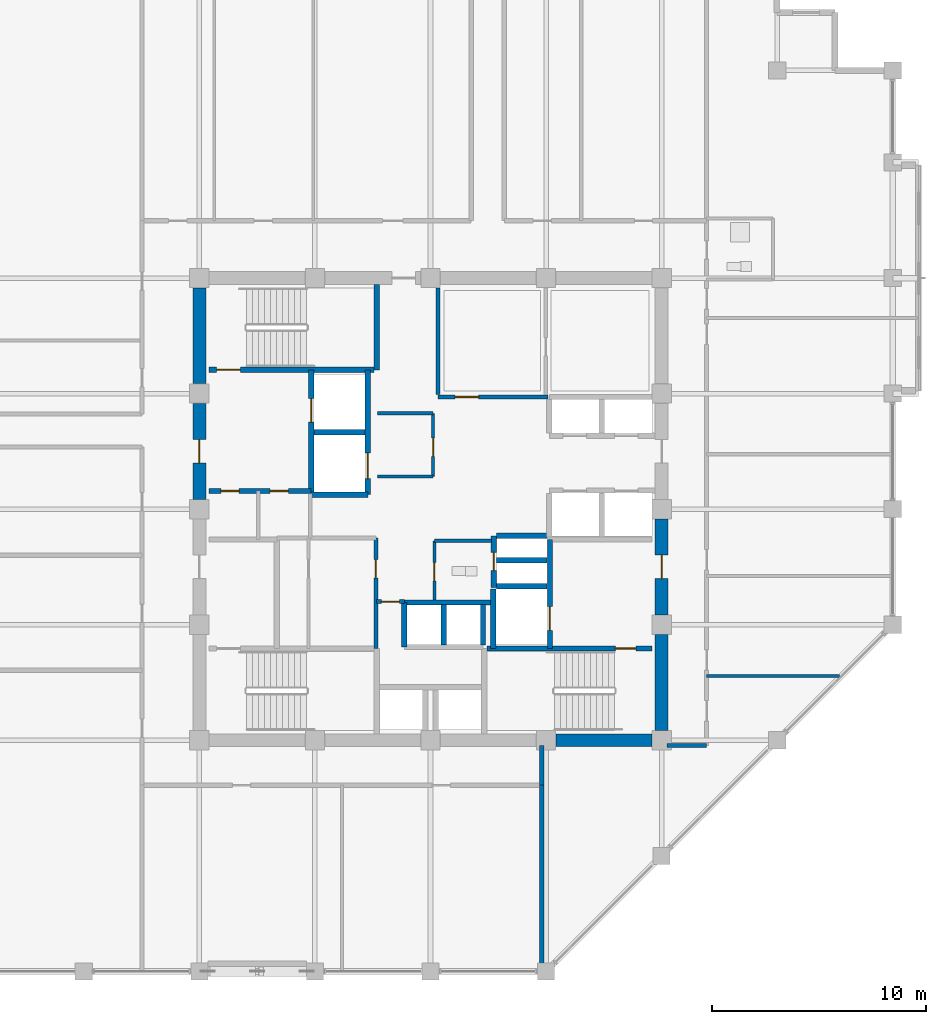
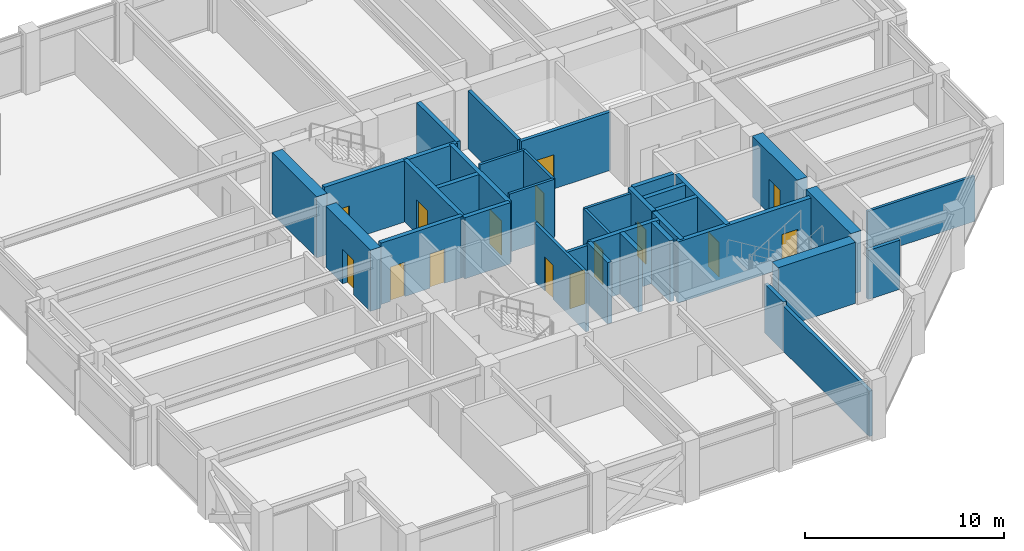
# One storey, part 27 of 32: 36 walls, 15 doors, 15 openings.
"""IFC4 building model written with IfcOpenShell, lengths in metres."""

from ifc_helpers import new_model, si_unit, direction, frame, frame_2d, origin, place, context, subcontext, project, spatial, rectangle, extrude, material, layer, layer_set, type_object, element, fill, save


model = new_model("IFC4")

# Units and contexts
model_context = context("Model", 3, precision=1e-05, world=origin(), true_north=direction((0.0, 1.0)))
body_context = subcontext(model_context, "Body", "Model", "MODEL_VIEW")
ifc_project = project(units=[si_unit("LENGTHUNIT", "METRE"), si_unit("AREAUNIT", "SQUARE_METRE"), si_unit("VOLUMEUNIT", "CUBIC_METRE"), si_unit("PLANEANGLEUNIT", "RADIAN"), si_unit("MASSUNIT", "GRAM", prefix="KILO")], contexts=[model_context])

# Site, building, storey
site_placement = place(None, origin())
site = spatial("IfcSite", under=ifc_project, at=site_placement, CompositionType="ELEMENT")
building_placement = place(site_placement, origin())
building = spatial("IfcBuilding", under=site, at=building_placement, Name="Surkhivell Harbour Commons", CompositionType="ELEMENT")
storey_placement = place(building_placement, frame((0.0, 0.0, 234.75)))
storey = spatial("IfcBuildingStorey", under=building, at=storey_placement, Name="L61", CompositionType="ELEMENT", Elevation=234.75)

# Wall
ifc_material_1 = material(Name="Concrete C60/75", Category="concrete")
ifc_layer_1 = layer(ifc_material_1, 0.60009765625)
ifc_layer_set_1 = layer_set([ifc_layer_1], Name="Concrete C60/75")
wall_type_1 = type_object("IfcWallType", Name="WAL-CORE-600", PredefinedType="SHEAR", material=ifc_layer_set_1)
wall_1_placement = place(storey_placement, frame((10.800048828125, -10.340087890625, 0.0), z_axis=(0.0, 0.0, 1.0), x_axis=(0.0, 1.0, 0.0)))
element("IfcWall", 1, at=wall_1_placement, inside=storey, type_object=wall_type_1, Name="L61 Core Shear Wall East 1", PredefinedType="SHEAR", context=body_context, shape_type="SweptSolid", body=[
    extrude(rectangle(XDim=4.47998046875, YDim=0.60009765625, at=frame_2d((2.239990234375, 0.0))), origin(), (0.0, 0.0, 1.0), 3.75),
])

# Wall, opening, door
wall_2_placement = place(storey_placement, frame((10.800048828125, -4.93994140625, 0.0), z_axis=(0.0, 0.0, 1.0), x_axis=(0.0, 1.0, 0.0)))
wall_2 = element("IfcWall", 2, at=wall_2_placement, inside=storey, type_object=wall_type_1, Name="L61 Core Shear Wall East 2", PredefinedType="SHEAR", context=body_context, shape_type="SweptSolid", body=[
    extrude(rectangle(XDim=4.47998046875, YDim=0.60009765625, at=frame_2d((2.239990234375, 0.0))), origin(), (0.0, 0.0, 1.0), 3.75),
])
opening_1_placement = place(wall_2_placement, frame((1.68994140625, 0.0, 0.0)))
opening_1 = element("IfcOpeningElement", 3, at=opening_1_placement, cuts=wall_2, Name="Opening ID-1", PredefinedType="OPENING", context=body_context, shape_type="SweptSolid", body=[
    extrude(rectangle(XDim=1.10009765625, YDim=2.10009765625, at=frame_2d((0.550048828125, 1.050048828125))), frame((0.0, 0.31005859375, 0.0), z_axis=(0.0, -1.0, 0.0), x_axis=(1.0, 0.0, 0.0)), (0.0, 0.0, 1.0), 0.6201171875),
])
ifc_material_2 = material(Name="Hardwood-veneered fire-rated door leaf", Category="wood")
door_type_1 = type_object("IfcDoorType", Name="DOR-FD120-1100", OperationType="NOTDEFINED", PredefinedType="DOOR", material=ifc_material_2)
door_1_placement = place(opening_1_placement, origin())
door_1 = element("IfcDoor", 4, at=door_1_placement, inside=storey, type_object=door_type_1, Name="L61 Firefighting Lobby 2 Corridor Door", OperationType="SINGLE_SWING_RIGHT", OverallHeight=2.10009765625, OverallWidth=1.10009765625, PredefinedType="DOOR", context=body_context, shape_type="SweptSolid", body=[
    extrude(rectangle(XDim=1.10009765625, YDim=2.10009765625, at=frame_2d((0.550048828125, 1.050048828125))), frame((0.0, 0.02490234375, 0.0), z_axis=(0.0, -1.0, 0.0), x_axis=(1.0, 0.0, 0.0)), (0.0, 0.0, 1.0), 0.050048828125),
])
fill(opening_1, door_1)

wall_3_placement = place(storey_placement, frame((-10.800048828125, 0.4599609375, 0.0), z_axis=(0.0, 0.0, 1.0), x_axis=(0.0, 1.0, 0.0)))
wall_3 = element("IfcWall", 5, at=wall_3_placement, inside=storey, type_object=wall_type_1, Name="L61 Core Shear Wall West 3", PredefinedType="SHEAR", context=body_context, shape_type="SweptSolid", body=[
    extrude(rectangle(XDim=4.47998046875, YDim=0.60009765625, at=frame_2d((2.239990234375, 0.0))), origin(), (0.0, 0.0, 1.0), 3.75),
])
opening_2_placement = place(wall_3_placement, frame((1.68994140625, 0.0, 0.0)))
opening_2 = element("IfcOpeningElement", 6, at=opening_2_placement, cuts=wall_3, Name="Opening ID-1", PredefinedType="OPENING", context=body_context, shape_type="SweptSolid", body=[
    extrude(rectangle(XDim=1.10009765625, YDim=2.10009765625, at=frame_2d((0.550048828125, 1.050048828125))), frame((0.0, 0.31005859375, 0.0), z_axis=(0.0, -1.0, 0.0), x_axis=(1.0, 0.0, 0.0)), (0.0, 0.0, 1.0), 0.6201171875),
])
door_2_placement = place(opening_2_placement, origin())
door_2 = element("IfcDoor", 7, at=door_2_placement, inside=storey, type_object=door_type_1, Name="L61 Firefighting Lobby 1 Corridor Door", OperationType="SINGLE_SWING_LEFT", OverallHeight=2.10009765625, OverallWidth=1.10009765625, PredefinedType="DOOR", context=body_context, shape_type="SweptSolid", body=[
    extrude(rectangle(XDim=1.10009765625, YDim=2.10009765625, at=frame_2d((0.550048828125, 1.050048828125))), frame((0.0, 0.02490234375, 0.0), z_axis=(0.0, -1.0, 0.0), x_axis=(1.0, 0.0, 0.0)), (0.0, 0.0, 1.0), 0.050048828125),
])
fill(opening_2, door_2)

# Walls
for number, where, z_axis, x_axis, name in (
    (8, (5.860107421875, -10.800048828125, 0.0), (0.0, 0.0, 1.0), (1.0, 0.0, 0.0), "L61 Core Shear Wall South 4"),
    (9, (-10.800048828125, 5.860107421875, 0.0), (0.0, 0.0, 1.0), (0.0, 1.0, 0.0), "L61 Core Shear Wall West 4"),
):
    element("IfcWall", number, at=place(storey_placement, frame(where, z_axis=z_axis, x_axis=x_axis)), inside=storey, type_object=wall_type_1, Name=name, PredefinedType="SHEAR", context=body_context, shape_type="SweptSolid", body=[
        extrude(rectangle(XDim=4.47998046875, YDim=0.60009765625, at=frame_2d((2.239990234375, 0.0))), origin(), (0.0, 0.0, 1.0), 3.75),
    ])
ifc_material_3 = material(Name="Twin-stud acoustic fireboard partition", Category="other")
ifc_layer_2 = layer(ifc_material_3, 0.14990234375)
ifc_layer_set_2 = layer_set([ifc_layer_2], Name="Twin-stud acoustic fireboard partition")
wall_type_2 = type_object("IfcWallType", Name="WAL-INT-150", PredefinedType="PARTITIONING", material=ifc_layer_set_2)
wall_4_placement = place(storey_placement, frame((0.179931640625, -1.47998046875, 0.0), z_axis=(0.0, 0.0, 1.0), x_axis=(1.0, 0.0, 0.0)))
element("IfcWall", 10, at=wall_4_placement, inside=storey, type_object=wall_type_2, Name="L61 Core Accessible WC North Wall", PredefinedType="PARTITIONING", context=body_context, shape_type="SweptSolid", body=[
    extrude(rectangle(XDim=2.670166015625, YDim=0.14990234375, at=frame_2d((1.3349609375, 0.0))), origin(), (0.0, 0.0, 1.0), 3.570068359375),
])

# Wall, opening, door
wall_5_placement = place(storey_placement, frame((0.179931640625, -4.25, 0.0), z_axis=(0.0, 0.0, 1.0), x_axis=(0.0, 1.0, 0.0)))
wall_5 = element("IfcWall", 11, at=wall_5_placement, inside=storey, type_object=wall_type_2, Name="L61 Core Accessible WC West Wall", PredefinedType="PARTITIONING", context=body_context, shape_type="SweptSolid", body=[
    extrude(rectangle(XDim=2.77001953125, YDim=0.14990234375, at=frame_2d((1.385009765625, 0.0))), origin(), (0.0, 0.0, 1.0), 3.570068359375),
])
opening_3_placement = place(wall_5_placement, frame((0.89990234375, 0.0, 0.0)))
opening_3 = element("IfcOpeningElement", 12, at=opening_3_placement, cuts=wall_5, Name="Opening ID-6", PredefinedType="OPENING", context=body_context, shape_type="SweptSolid", body=[
    extrude(rectangle(XDim=0.85009765625, YDim=2.10009765625, at=frame_2d((0.425048828125, 1.050048828125))), frame((0.0, 0.0849609375, 0.0), z_axis=(0.0, -1.0, 0.0), x_axis=(1.0, 0.0, 0.0)), (0.0, 0.0, 1.0), 0.169921875),
])
door_type_2 = type_object("IfcDoorType", Name="DOR-FD30-850", OperationType="NOTDEFINED", PredefinedType="DOOR", material=ifc_material_2)
door_3_placement = place(opening_3_placement, origin())
door_3 = element("IfcDoor", 13, at=door_3_placement, inside=storey, type_object=door_type_2, Name="L61 Floor Accessible WC Door", OperationType="SINGLE_SWING_LEFT", OverallHeight=2.10009765625, OverallWidth=0.85009765625, PredefinedType="DOOR", context=body_context, shape_type="SweptSolid", body=[
    extrude(rectangle(XDim=0.85009765625, YDim=2.10009765625, at=frame_2d((0.425048828125, 1.050048828125))), frame((0.0, 0.02490234375, 0.0), z_axis=(0.0, -1.0, 0.0), x_axis=(1.0, 0.0, 0.0)), (0.0, 0.0, 1.0), 0.050048828125),
])
fill(opening_3, door_3)

wall_6_placement = place(storey_placement, frame((0.1201171875, 1.52001953125, 0.0), z_axis=(0.0, 0.0, 1.0), x_axis=(0.0, 1.0, 0.0)))
wall_6 = element("IfcWall", 14, at=wall_6_placement, inside=storey, type_object=wall_type_2, Name="L61 Central Reading East Wall", PredefinedType="PARTITIONING", context=body_context, shape_type="SweptSolid", body=[
    extrude(rectangle(XDim=2.9599609375, YDim=0.14990234375, at=frame_2d((1.47998046875, 0.0))), origin(), (0.0, 0.0, 1.0), 3.570068359375),
])
opening_4_placement = place(wall_6_placement, frame((0.949951171875, 0.0, 0.0)))
opening_4 = element("IfcOpeningElement", 15, at=opening_4_placement, cuts=wall_6, Name="Opening ID-6", PredefinedType="OPENING", context=body_context, shape_type="SweptSolid", body=[
    extrude(rectangle(XDim=0.85009765625, YDim=2.10009765625, at=frame_2d((0.425048828125, 1.050048828125))), frame((0.0, 0.0849609375, 0.0), z_axis=(0.0, -1.0, 0.0), x_axis=(1.0, 0.0, 0.0)), (0.0, 0.0, 1.0), 0.169921875),
])
door_4_placement = place(opening_4_placement, origin())
door_4 = element("IfcDoor", 16, at=door_4_placement, inside=storey, type_object=door_type_2, Name="L61 Central Core Reading Door", OperationType="SINGLE_SWING_RIGHT", OverallHeight=2.10009765625, OverallWidth=0.85009765625, PredefinedType="DOOR", context=body_context, shape_type="SweptSolid", body=[
    extrude(rectangle(XDim=0.85009765625, YDim=2.10009765625, at=frame_2d((0.425048828125, 1.050048828125))), frame((0.0, 0.02490234375, 0.0), z_axis=(0.0, -1.0, 0.0), x_axis=(1.0, 0.0, 0.0)), (0.0, 0.0, 1.0), 0.050048828125),
])
fill(opening_4, door_4)

# Walls
for number, where, z_axis, x_axis, name in (
    (17, (-2.47998046875, 4.47998046875, 0.0), (0.0, 0.0, 1.0), (1.0, 0.0, 0.0), "L61 Central Reading North Wall"),
    (18, (-2.47998046875, 1.52001953125, 0.0), (0.0, 0.0, 1.0), (1.0, 0.0, 0.0), "L61 Central Reading South Wall"),
):
    element("IfcWall", number, at=place(storey_placement, frame(where, z_axis=z_axis, x_axis=x_axis)), inside=storey, type_object=wall_type_2, Name=name, PredefinedType="PARTITIONING", context=body_context, shape_type="SweptSolid", body=[
        extrude(rectangle(XDim=2.60009765625, YDim=0.14990234375, at=frame_2d((1.300048828125, 0.0))), origin(), (0.0, 0.0, 1.0), 3.570068359375),
    ])
wall_7_placement = place(storey_placement, frame((12.89990234375, -7.800048828125, 0.0), z_axis=(0.0, 0.0, 1.0), x_axis=(1.0, 0.0, 0.0)))
element("IfcWall", 19, at=wall_7_placement, inside=storey, type_object=wall_type_2, Name="L61 East Partition PBOT", PredefinedType="PARTITIONING", context=body_context, shape_type="SweptSolid", body=[
    extrude(rectangle(XDim=6.21533203125, YDim=0.14990234375, at=frame_2d((3.107666015625, 0.0))), origin(), (0.0, 0.0, 1.0), 2.780029296875),
])

# Wall, opening, door
ifc_material_4 = material(Name="High-density acoustic blockwork fire partition", Category="masonry")
ifc_layer_3 = layer(ifc_material_4, 0.175048828125)
ifc_layer_set_3 = layer_set([ifc_layer_3], Name="High-density acoustic blockwork fire partition")
wall_type_3 = type_object("IfcWallType", Name="WAL-INT-175", PredefinedType="PARTITIONING", material=ifc_layer_set_3)
wall_8_placement = place(storey_placement, frame((-2.550048828125, -6.510009765625, 0.0), z_axis=(0.0, 0.0, 1.0), x_axis=(0.0, 1.0, 0.0)))
wall_8 = element("IfcWall", 20, at=wall_8_placement, inside=storey, type_object=wall_type_3, Name="L61 Core Service Bay East Wall", PredefinedType="PARTITIONING", context=body_context, shape_type="SweptSolid", body=[
    extrude(rectangle(XDim=5.159912109375, YDim=0.175048828125, at=frame_2d((2.580078125, 0.0))), origin(), (0.0, 0.0, 1.0), 3.570068359375),
])
opening_5_placement = place(wall_8_placement, frame((3.300048828125, 0.0, 0.0)))
opening_5 = element("IfcOpeningElement", 21, at=opening_5_placement, cuts=wall_8, Name="Opening ID-6", PredefinedType="OPENING", context=body_context, shape_type="SweptSolid", body=[
    extrude(rectangle(XDim=0.85009765625, YDim=2.10009765625, at=frame_2d((0.425048828125, 1.050048828125))), frame((0.0, 0.097412109375, 0.0), z_axis=(0.0, -1.0, 0.0), x_axis=(1.0, 0.0, 0.0)), (0.0, 0.0, 1.0), 0.195068359375),
])
door_5_placement = place(opening_5_placement, origin())
door_5 = element("IfcDoor", 22, at=door_5_placement, inside=storey, type_object=door_type_2, Name="L61 Core Music Door", OperationType="SINGLE_SWING_LEFT", OverallHeight=2.10009765625, OverallWidth=0.85009765625, PredefinedType="DOOR", context=body_context, shape_type="SweptSolid", body=[
    extrude(rectangle(XDim=0.85009765625, YDim=2.10009765625, at=frame_2d((0.425048828125, 1.050048828125))), frame((0.0, 0.02490234375, 0.0), z_axis=(0.0, -1.0, 0.0), x_axis=(1.0, 0.0, 0.0)), (0.0, 0.0, 1.0), 0.050048828125),
])
fill(opening_5, door_5)

wall_9_placement = place(storey_placement, frame((-2.52001953125, -4.320068359375, 0.0), z_axis=(0.0, 0.0, 1.0), x_axis=(1.0, 0.0, 0.0)))
wall_9 = element("IfcWall", 23, at=wall_9_placement, inside=storey, type_object=wall_type_3, Name="L61 High-Rise Lobby North Portal Wall", PredefinedType="PARTITIONING", context=body_context, shape_type="SweptSolid", body=[
    extrude(rectangle(XDim=1.300048828125, YDim=0.175048828125, at=frame_2d((0.64990234375, 0.0))), origin(), (0.0, 0.0, 1.0), 3.570068359375),
])
opening_6_placement = place(wall_9_placement, frame((0.219970703125, 0.0, 0.0)))
opening_6 = element("IfcOpeningElement", 24, at=opening_6_placement, cuts=wall_9, Name="Opening ID-6", PredefinedType="OPENING", context=body_context, shape_type="SweptSolid", body=[
    extrude(rectangle(XDim=0.85009765625, YDim=2.10009765625, at=frame_2d((0.425048828125, 1.050048828125))), frame((0.0, 0.097412109375, 0.0), z_axis=(0.0, -1.0, 0.0), x_axis=(1.0, 0.0, 0.0)), (0.0, 0.0, 1.0), 0.195068359375),
])
door_6_placement = place(opening_6_placement, origin())
door_6 = element("IfcDoor", 25, at=door_6_placement, inside=storey, type_object=door_type_2, Name="L61 High-Rise Lift Lobby North Door", OperationType="SINGLE_SWING_LEFT", OverallHeight=2.10009765625, OverallWidth=0.85009765625, PredefinedType="DOOR", context=body_context, shape_type="SweptSolid", body=[
    extrude(rectangle(XDim=0.85009765625, YDim=2.10009765625, at=frame_2d((0.425048828125, 1.050048828125))), frame((0.0, 0.02490234375, 0.0), z_axis=(0.0, -1.0, 0.0), x_axis=(1.0, 0.0, 0.0)), (0.0, 0.0, 1.0), 0.050048828125),
])
fill(opening_6, door_6)

ifc_material_5 = material(Name="Autoclaved aerated concrete blockwork and fire plaster", Category="masonry")
ifc_layer_4 = layer(ifc_material_5, 0.199951171875)
ifc_layer_set_4 = layer_set([ifc_layer_4], Name="Autoclaved aerated concrete blockwork and fire plaster")
wall_type_4 = type_object("IfcWallType", Name="WAL-INT-200", PredefinedType="PARTITIONING", material=ifc_layer_set_4)
wall_10_placement = place(storey_placement, frame((0.35009765625, 5.239990234375, 0.0), z_axis=(0.0, 0.0, 1.0), x_axis=(1.0, 0.0, 0.0)))
wall_10 = element("IfcWall", 26, at=wall_10_placement, inside=storey, type_object=wall_type_4, Name="L61 Reclaimed Core North Bay South Wall", PredefinedType="PARTITIONING", context=body_context, shape_type="SweptSolid", body=[
    extrude(rectangle(XDim=5.14990234375, YDim=0.199951171875, at=frame_2d((2.574951171875, 0.0))), origin(), (0.0, 0.0, 1.0), 3.570068359375),
])
opening_7_placement = place(wall_10_placement, frame((0.800048828125, 0.0, 0.0)))
opening_7 = element("IfcOpeningElement", 27, at=opening_7_placement, cuts=wall_10, Name="Opening ID-2", PredefinedType="OPENING", context=body_context, shape_type="SweptSolid", body=[
    extrude(rectangle(XDim=1.10009765625, YDim=2.10009765625, at=frame_2d((0.550048828125, 1.050048828125))), frame((0.0, 0.10986328125, 0.0), z_axis=(0.0, -1.0, 0.0), x_axis=(1.0, 0.0, 0.0)), (0.0, 0.0, 1.0), 0.219970703125),
])
door_type_3 = type_object("IfcDoorType", Name="DOR-FD60-1100", OperationType="NOTDEFINED", PredefinedType="DOOR", material=ifc_material_2)
door_7_placement = place(opening_7_placement, origin())
door_7 = element("IfcDoor", 28, at=door_7_placement, inside=storey, type_object=door_type_3, Name="L61 Core Study Door", OperationType="SINGLE_SWING_LEFT", OverallHeight=2.10009765625, OverallWidth=1.10009765625, PredefinedType="DOOR", context=body_context, shape_type="SweptSolid", body=[
    extrude(rectangle(XDim=1.10009765625, YDim=2.10009765625, at=frame_2d((0.550048828125, 1.050048828125))), frame((0.0, 0.02490234375, 0.0), z_axis=(0.0, -1.0, 0.0), x_axis=(1.0, 0.0, 0.0)), (0.0, 0.0, 1.0), 0.050048828125),
])
fill(opening_7, door_7)

# Walls
wall_11_placement = place(storey_placement, frame((0.35009765625, 5.360107421875, 0.0), z_axis=(0.0, 0.0, 1.0), x_axis=(0.0, 1.0, 0.0)))
element("IfcWall", 29, at=wall_11_placement, inside=storey, type_object=wall_type_4, Name="L61 Reclaimed Core North Bay West Wall", PredefinedType="PARTITIONING", context=body_context, shape_type="SweptSolid", body=[
    extrude(rectangle(XDim=4.97998046875, YDim=0.199951171875, at=frame_2d((2.489990234375, 0.0))), origin(), (0.0, 0.0, 1.0), 3.570068359375),
])
wall_12_placement = place(storey_placement, frame((5.199951171875, -21.5400390625, 0.0), z_axis=(0.0, 0.0, 1.0), x_axis=(0.0, 1.0, 0.0)))
element("IfcWall", 30, at=wall_12_placement, inside=storey, type_object=wall_type_4, Name="L61 South-East Corner Wall", PredefinedType="PARTITIONING", context=body_context, shape_type="SweptSolid", body=[
    extrude(rectangle(XDim=8.64013671875, YDim=0.199951171875, at=frame_2d((4.320068359375, 0.0))), origin(), (0.0, 0.0, 1.0), 2.780029296875),
])
for number, where, z_axis, x_axis, name in (
    (31, (11.0400390625, -11.0400390625, 0.0), (0.0, 0.0, 1.0), (1.0, 0.0, 0.0), "L61 Corridor East South Closure Wall"),
    (32, (5.199951171875, -12.89990234375, 0.0), (0.0, 0.0, 1.0), (0.0, 1.0, 0.0), "L61 Corridor South End Wall"),
):
    element("IfcWall", number, at=place(storey_placement, frame(where, z_axis=z_axis, x_axis=x_axis)), inside=storey, type_object=wall_type_4, Name=name, PredefinedType="PARTITIONING", context=body_context, shape_type="SweptSolid", body=[
        extrude(rectangle(XDim=1.85986328125, YDim=0.199951171875, at=frame_2d((0.929931640625, 0.0))), origin(), (0.0, 0.0, 1.0), 3.006103515625),
    ])

# Wall, opening, door
ifc_material_6 = material(Name="Concrete C50/60", Category="concrete")
ifc_layer_5 = layer(ifc_material_6, 0.25)
ifc_layer_set_5 = layer_set([ifc_layer_5], Name="Concrete C50/60")
wall_type_5 = type_object("IfcWallType", Name="WAL-SHAFT-250", PredefinedType="SHEAR", material=ifc_layer_set_5)
wall_13_placement = place(storey_placement, frame((-5.580078125, 0.719970703125, 0.0), z_axis=(0.0, 0.0, 1.0), x_axis=(0.0, 1.0, 0.0)))
wall_13 = element("IfcWall", 33, at=wall_13_placement, inside=storey, type_object=wall_type_5, Name="L61 Firefighting Lobby 1 East Shaft Wall", PredefinedType="SHEAR", context=body_context, shape_type="SweptSolid", body=[
    extrude(rectangle(XDim=5.7900390625, YDim=0.25, at=frame_2d((2.89501953125, 0.0))), origin(), (0.0, 0.0, 1.0), 3.75),
])
opening_8_placement = place(wall_13_placement, frame((3.35009765625, 0.0, 0.0)))
opening_8 = element("IfcOpeningElement", 34, at=opening_8_placement, cuts=wall_13, Name="Opening LD-1", PredefinedType="OPENING", context=body_context, shape_type="SweptSolid", body=[
    extrude(rectangle(XDim=1.10009765625, YDim=2.10009765625, at=frame_2d((0.550048828125, 1.050048828125))), frame((0.0, 0.135009765625, 0.0), z_axis=(0.0, -1.0, 0.0), x_axis=(1.0, 0.0, 0.0)), (0.0, 0.0, 1.0), 0.27001953125),
])
ifc_material_7 = material(Name="Brushed stainless steel S355", Category="steel")
door_type_4 = type_object("IfcDoorType", Name="DOR-LD-1100", OperationType="SLIDING_TO_LEFT", PredefinedType="DOOR", material=ifc_material_7)
door_8_placement = place(opening_8_placement, origin())
door_8 = element("IfcDoor", 35, at=door_8_placement, inside=storey, type_object=door_type_4, Name="L61 Lift Landing Door LD-FFL1", OperationType="SLIDING_TO_LEFT", OverallHeight=2.10009765625, OverallWidth=1.10009765625, PredefinedType="DOOR", context=body_context, shape_type="SweptSolid", body=[
    extrude(rectangle(XDim=1.10009765625, YDim=2.10009765625, at=frame_2d((0.550048828125, 1.050048828125))), frame((0.0, 0.02490234375, 0.0), z_axis=(0.0, -1.0, 0.0), x_axis=(1.0, 0.0, 0.0)), (0.0, 0.0, 1.0), 0.050048828125),
])
fill(opening_8, door_8)

# Wall, openings, doors
wall_14_placement = place(storey_placement, frame((-10.340087890625, 0.85009765625, 0.0), z_axis=(0.0, 0.0, 1.0), x_axis=(1.0, 0.0, 0.0)))
wall_14 = element("IfcWall", 36, at=wall_14_placement, inside=storey, type_object=wall_type_5, Name="L61 Firefighting Lobby 1 South Wall", PredefinedType="SHEAR", context=body_context, shape_type="SweptSolid", body=[
    extrude(rectangle(XDim=4.760009765625, YDim=0.25, at=frame_2d((2.3798828125, 0.0))), origin(), (0.0, 0.0, 1.0), 3.75),
])
opening_9_placement = place(wall_14_placement, frame((0.550048828125, 0.0, 0.0)))
opening_9 = element("IfcOpeningElement", 37, at=opening_9_placement, cuts=wall_14, Name="Opening ID-6", PredefinedType="OPENING", context=body_context, shape_type="SweptSolid", body=[
    extrude(rectangle(XDim=0.85009765625, YDim=2.10009765625, at=frame_2d((0.425048828125, 1.050048828125))), frame((0.0, 0.135009765625, 0.0), z_axis=(0.0, -1.0, 0.0), x_axis=(1.0, 0.0, 0.0)), (0.0, 0.0, 1.0), 0.27001953125),
])
opening_10_placement = place(wall_14_placement, frame((2.85009765625, 0.0, 0.0)))
opening_10 = element("IfcOpeningElement", 38, at=opening_10_placement, cuts=wall_14, Name="Opening ID-6", PredefinedType="OPENING", context=body_context, shape_type="SweptSolid", body=[
    extrude(rectangle(XDim=0.85009765625, YDim=2.10009765625, at=frame_2d((0.425048828125, 1.050048828125))), frame((0.0, 0.135009765625, 0.0), z_axis=(0.0, -1.0, 0.0), x_axis=(1.0, 0.0, 0.0)), (0.0, 0.0, 1.0), 0.27001953125),
])
door_9_placement = place(opening_9_placement, origin())
door_9 = element("IfcDoor", 39, at=door_9_placement, inside=storey, type_object=door_type_2, Name="L61 West Seminar 1 Door", OperationType="SINGLE_SWING_LEFT", OverallHeight=2.10009765625, OverallWidth=0.85009765625, PredefinedType="DOOR", context=body_context, shape_type="SweptSolid", body=[
    extrude(rectangle(XDim=0.85009765625, YDim=2.10009765625, at=frame_2d((0.425048828125, 1.050048828125))), frame((0.0, 0.02490234375, 0.0), z_axis=(0.0, -1.0, 0.0), x_axis=(1.0, 0.0, 0.0)), (0.0, 0.0, 1.0), 0.050048828125),
])
fill(opening_9, door_9)
door_10_placement = place(opening_10_placement, origin())
door_10 = element("IfcDoor", 40, at=door_10_placement, inside=storey, type_object=door_type_2, Name="L61 West Seminar 2 Door", OperationType="SINGLE_SWING_RIGHT", OverallHeight=2.10009765625, OverallWidth=0.85009765625, PredefinedType="DOOR", context=body_context, shape_type="SweptSolid", body=[
    extrude(rectangle(XDim=0.85009765625, YDim=2.10009765625, at=frame_2d((0.425048828125, 1.050048828125))), frame((0.0, 0.02490234375, 0.0), z_axis=(0.0, -1.0, 0.0), x_axis=(1.0, 0.0, 0.0)), (0.0, 0.0, 1.0), 0.050048828125),
])
fill(opening_10, door_10)

# Walls
wall_15_placement = place(storey_placement, frame((2.929931640625, -6.510009765625, 0.0), z_axis=(0.0, 0.0, 1.0), x_axis=(0.0, 1.0, 0.0)))
element("IfcWall", 41, at=wall_15_placement, inside=storey, type_object=wall_type_5, Name="L61 FFL2 West Shaft Wall", PredefinedType="SHEAR", context=body_context, shape_type="SweptSolid", body=[
    extrude(rectangle(XDim=2.7900390625, YDim=0.25, at=frame_2d((1.39501953125, 0.0))), origin(), (0.0, 0.0, 1.0), 3.75),
])
wall_16_placement = place(storey_placement, frame((3.080078125, -3.60009765625, 0.0), z_axis=(0.0, 0.0, 1.0), x_axis=(1.0, 0.0, 0.0)))
element("IfcWall", 42, at=wall_16_placement, inside=storey, type_object=wall_type_5, Name="L61 FFL2 North Shaft Wall", PredefinedType="SHEAR", context=body_context, shape_type="SweptSolid", body=[
    extrude(rectangle(XDim=2.369873046875, YDim=0.25, at=frame_2d((1.18505859375, 0.0))), origin(), (0.0, 0.0, 1.0), 3.75),
])

# Wall, opening, door
wall_17_placement = place(storey_placement, frame((5.580078125, -6.510009765625, 0.0), z_axis=(0.0, 0.0, 1.0), x_axis=(0.0, 1.0, 0.0)))
wall_17 = element("IfcWall", 43, at=wall_17_placement, inside=storey, type_object=wall_type_5, Name="L61 Firefighting Lobby 2 West Shaft Wall", PredefinedType="SHEAR", context=body_context, shape_type="SweptSolid", body=[
    extrude(rectangle(XDim=5.090087890625, YDim=0.25, at=frame_2d((2.544921875, 0.0))), origin(), (0.0, 0.0, 1.0), 3.75),
])
opening_11_placement = place(wall_17_placement, frame((0.85009765625, 0.0, 0.0)))
opening_11 = element("IfcOpeningElement", 44, at=opening_11_placement, cuts=wall_17, Name="Opening LD-1", PredefinedType="OPENING", context=body_context, shape_type="SweptSolid", body=[
    extrude(rectangle(XDim=1.10009765625, YDim=2.10009765625, at=frame_2d((0.550048828125, 1.050048828125))), frame((0.0, 0.135009765625, 0.0), z_axis=(0.0, -1.0, 0.0), x_axis=(1.0, 0.0, 0.0)), (0.0, 0.0, 1.0), 0.27001953125),
])
door_11_placement = place(opening_11_placement, origin())
door_11 = element("IfcDoor", 45, at=door_11_placement, inside=storey, type_object=door_type_4, Name="L61 Lift Landing Door LD-FFL2", OperationType="SLIDING_TO_RIGHT", OverallHeight=2.10009765625, OverallWidth=1.10009765625, PredefinedType="DOOR", context=body_context, shape_type="SweptSolid", body=[
    extrude(rectangle(XDim=1.10009765625, YDim=2.10009765625, at=frame_2d((0.550048828125, 1.050048828125))), frame((0.0, 0.02490234375, 0.0), z_axis=(0.0, -1.0, 0.0), x_axis=(1.0, 0.0, 0.0)), (0.0, 0.0, 1.0), 0.050048828125),
])
fill(opening_11, door_11)

# Walls
for number, where, z_axis, x_axis, name in (
    (46, (0.6201171875, -6.340087890625, 0.0), (0.0, 0.0, 1.0), (0.0, 1.0, 0.0), "L61 High-Rise Side Wall N"),
    (47, (2.449951171875, -6.340087890625, 0.0), (0.0, 0.0, 1.0), (0.0, 1.0, 0.0), "L61 High-Rise Side Wall N"),
):
    element("IfcWall", number, at=place(storey_placement, frame(where, z_axis=z_axis, x_axis=x_axis)), inside=storey, type_object=wall_type_5, Name=name, PredefinedType="SHEAR", context=body_context, shape_type="SweptSolid", body=[
        extrude(rectangle(XDim=1.880126953125, YDim=0.25, at=frame_2d((0.93994140625, 0.0))), origin(), (0.0, 0.0, 1.0), 3.75),
    ])
wall_18_placement = place(storey_placement, frame((-1.219970703125, -6.43994140625, 0.0), z_axis=(0.0, 0.0, 1.0), x_axis=(0.0, 1.0, 0.0)))
element("IfcWall", 48, at=wall_18_placement, inside=storey, type_object=wall_type_5, Name="L61 High-Rise Passage East Shaft Wall", PredefinedType="SHEAR", context=body_context, shape_type="SweptSolid", body=[
    extrude(rectangle(XDim=2.079833984375, YDim=0.25, at=frame_2d((1.0400390625, 0.0))), origin(), (0.0, 0.0, 1.0), 3.75),
])
wall_19_placement = place(storey_placement, frame((-1.219970703125, -4.360107421875, 0.0), z_axis=(0.0, 0.0, 1.0), x_axis=(1.0, 0.0, 0.0)))
element("IfcWall", 49, at=wall_19_placement, inside=storey, type_object=wall_type_5, Name="L61 High-Rise North Back Shaft Wall", PredefinedType="SHEAR", context=body_context, shape_type="SweptSolid", body=[
    extrude(rectangle(XDim=4.030029296875, YDim=0.25, at=frame_2d((2.01513671875, 0.0))), origin(), (0.0, 0.0, 1.0), 3.75),
])
for number, where, z_axis, x_axis, name in (
    (50, (3.080078125, -2.3798828125, 0.0), (0.0, 0.0, 1.0), (1.0, 0.0, 0.0), "L61 Riser Divider Wall"),
    (51, (3.080078125, -1.25, 0.0), (0.0, 0.0, 1.0), (1.0, 0.0, 0.0), "L61 Riser North Wall"),
):
    element("IfcWall", number, at=place(storey_placement, frame(where, z_axis=z_axis, x_axis=x_axis)), inside=storey, type_object=wall_type_5, Name=name, PredefinedType="SHEAR", context=body_context, shape_type="SweptSolid", body=[
        extrude(rectangle(XDim=2.369873046875, YDim=0.25, at=frame_2d((1.18505859375, 0.0))), origin(), (0.0, 0.0, 1.0), 3.75),
    ])

# Wall, opening, door
wall_20_placement = place(storey_placement, frame((2.949951171875, -3.64990234375, 0.0), z_axis=(0.0, 0.0, 1.0), x_axis=(0.0, 1.0, 0.0)))
wall_20 = element("IfcWall", 52, at=wall_20_placement, inside=storey, type_object=wall_type_5, Name="L61 Riser Shaft West Wall", PredefinedType="SHEAR", context=body_context, shape_type="SweptSolid", body=[
    extrude(rectangle(XDim=2.39990234375, YDim=0.25, at=frame_2d((1.199951171875, 0.0))), origin(), (0.0, 0.0, 1.0), 3.75),
])
opening_12_placement = place(wall_20_placement, frame((0.77490234375, 0.0, 0.0)))
opening_12 = element("IfcOpeningElement", 53, at=opening_12_placement, cuts=wall_20, Name="Opening ID-6", PredefinedType="OPENING", context=body_context, shape_type="SweptSolid", body=[
    extrude(rectangle(XDim=0.85009765625, YDim=2.10009765625, at=frame_2d((0.425048828125, 1.050048828125))), frame((0.0, 0.135009765625, 0.0), z_axis=(0.0, -1.0, 0.0), x_axis=(1.0, 0.0, 0.0)), (0.0, 0.0, 1.0), 0.27001953125),
])
door_12_placement = place(opening_12_placement, origin())
door_12 = element("IfcDoor", 54, at=door_12_placement, inside=storey, type_object=door_type_2, Name="L61 Electrical Riser Access Door", OperationType="SINGLE_SWING_LEFT", OverallHeight=2.10009765625, OverallWidth=0.85009765625, PredefinedType="DOOR", context=body_context, shape_type="SweptSolid", body=[
    extrude(rectangle(XDim=0.85009765625, YDim=2.10009765625, at=frame_2d((0.425048828125, 1.050048828125))), frame((0.0, 0.02490234375, 0.0), z_axis=(0.0, -1.0, 0.0), x_axis=(1.0, 0.0, 0.0)), (0.0, 0.0, 1.0), 0.050048828125),
])
fill(opening_12, door_12)

# Wall
wall_21_placement = place(storey_placement, frame((-2.510009765625, 6.510009765625, 0.0), z_axis=(0.0, 0.0, 1.0), x_axis=(0.0, 1.0, 0.0)))
element("IfcWall", 55, at=wall_21_placement, inside=storey, type_object=wall_type_5, Name="L61 Stair ST1 East Shear Wall", PredefinedType="SHEAR", context=body_context, shape_type="SweptSolid", body=[
    extrude(rectangle(XDim=3.989990234375, YDim=0.25, at=frame_2d((1.9951171875, 0.0))), origin(), (0.0, 0.0, 1.0), 3.75),
])

# Wall, opening, door
wall_22_placement = place(storey_placement, frame((-10.340087890625, 6.510009765625, 0.0), z_axis=(0.0, 0.0, 1.0), x_axis=(1.0, 0.0, 0.0)))
wall_22 = element("IfcWall", 56, at=wall_22_placement, inside=storey, type_object=wall_type_5, Name="L61 Stair ST1 South Shear Wall", PredefinedType="SHEAR", context=body_context, shape_type="SweptSolid", body=[
    extrude(rectangle(XDim=7.7001953125, YDim=0.25, at=frame_2d((3.85009765625, 0.0))), origin(), (0.0, 0.0, 1.0), 3.75),
])
opening_13_placement = place(wall_22_placement, frame((0.35009765625, 0.0, 0.0)))
opening_13 = element("IfcOpeningElement", 57, at=opening_13_placement, cuts=wall_22, Name="Opening ID-2", PredefinedType="OPENING", context=body_context, shape_type="SweptSolid", body=[
    extrude(rectangle(XDim=1.10009765625, YDim=2.10009765625, at=frame_2d((0.550048828125, 1.050048828125))), frame((0.0, 0.135009765625, 0.0), z_axis=(0.0, -1.0, 0.0), x_axis=(1.0, 0.0, 0.0)), (0.0, 0.0, 1.0), 0.27001953125),
])
door_13_placement = place(opening_13_placement, origin())
door_13 = element("IfcDoor", 58, at=door_13_placement, inside=storey, type_object=door_type_3, Name="L61 Stair ST1 Exit Door", OperationType="SINGLE_SWING_LEFT", OverallHeight=2.10009765625, OverallWidth=1.10009765625, PredefinedType="DOOR", context=body_context, shape_type="SweptSolid", body=[
    extrude(rectangle(XDim=1.10009765625, YDim=2.10009765625, at=frame_2d((0.550048828125, 1.050048828125))), frame((0.0, 0.02490234375, 0.0), z_axis=(0.0, -1.0, 0.0), x_axis=(1.0, 0.0, 0.0)), (0.0, 0.0, 1.0), 0.050048828125),
])
fill(opening_13, door_13)

wall_23_placement = place(storey_placement, frame((2.639892578125, -6.510009765625, 0.0), z_axis=(0.0, 0.0, 1.0), x_axis=(1.0, 0.0, 0.0)))
wall_23 = element("IfcWall", 59, at=wall_23_placement, inside=storey, type_object=wall_type_5, Name="L61 Stair ST2 North Shear Wall", PredefinedType="SHEAR", context=body_context, shape_type="SweptSolid", body=[
    extrude(rectangle(XDim=7.7001953125, YDim=0.25, at=frame_2d((3.85009765625, 0.0))), origin(), (0.0, 0.0, 1.0), 3.75),
])
opening_14_placement = place(wall_23_placement, frame((6.0, 0.0, 0.0)))
opening_14 = element("IfcOpeningElement", 60, at=opening_14_placement, cuts=wall_23, Name="Opening ID-4", PredefinedType="OPENING", context=body_context, shape_type="SweptSolid", body=[
    extrude(rectangle(XDim=0.949951171875, YDim=2.10009765625, at=frame_2d((0.47509765625, 1.050048828125))), frame((0.0, 0.135009765625, 0.0), z_axis=(0.0, -1.0, 0.0), x_axis=(1.0, 0.0, 0.0)), (0.0, 0.0, 1.0), 0.27001953125),
])
door_type_5 = type_object("IfcDoorType", Name="DOR-FD60-950", OperationType="NOTDEFINED", PredefinedType="DOOR", material=ifc_material_2)
door_14_placement = place(opening_14_placement, origin())
door_14 = element("IfcDoor", 61, at=door_14_placement, inside=storey, type_object=door_type_5, Name="L61 Stair ST2 Exit Door", OperationType="SINGLE_SWING_RIGHT", OverallHeight=2.10009765625, OverallWidth=0.949951171875, PredefinedType="DOOR", context=body_context, shape_type="SweptSolid", body=[
    extrude(rectangle(XDim=0.949951171875, YDim=2.10009765625, at=frame_2d((0.47509765625, 1.050048828125))), frame((0.0, 0.02490234375, 0.0), z_axis=(0.0, -1.0, 0.0), x_axis=(1.0, 0.0, 0.0)), (0.0, 0.0, 1.0), 0.050048828125),
])
fill(opening_14, door_14)

wall_24_placement = place(storey_placement, frame((-2.929931640625, 0.679931640625, 0.0), z_axis=(0.0, 0.0, 1.0), x_axis=(0.0, 1.0, 0.0)))
wall_24 = element("IfcWall", 62, at=wall_24_placement, inside=storey, type_object=wall_type_5, Name="L61 Service and Fire Lift East Shaft Wall", PredefinedType="SHEAR", context=body_context, shape_type="SweptSolid", body=[
    extrude(rectangle(XDim=5.830078125, YDim=0.25, at=frame_2d((2.9150390625, 0.0))), origin(), (0.0, 0.0, 1.0), 3.75),
])
opening_15_placement = place(wall_24_placement, frame((0.75, 0.0, 0.0)))
opening_15 = element("IfcOpeningElement", 63, at=opening_15_placement, cuts=wall_24, Name="Opening LD-2", PredefinedType="OPENING", context=body_context, shape_type="SweptSolid", body=[
    extrude(rectangle(XDim=1.199951171875, YDim=2.10009765625, at=frame_2d((0.60009765625, 1.050048828125))), frame((0.0, 0.135009765625, 0.0), z_axis=(0.0, -1.0, 0.0), x_axis=(1.0, 0.0, 0.0)), (0.0, 0.0, 1.0), 0.27001953125),
])
door_type_6 = type_object("IfcDoorType", Name="DOR-LD-1200", OperationType="SLIDING_TO_LEFT", PredefinedType="DOOR", material=ifc_material_7)
door_15_placement = place(opening_15_placement, origin())
door_15 = element("IfcDoor", 64, at=door_15_placement, inside=storey, type_object=door_type_6, Name="L61 Lift Landing Door LD-SVL1", OperationType="SLIDING_TO_LEFT", OverallHeight=2.10009765625, OverallWidth=1.199951171875, PredefinedType="DOOR", context=body_context, shape_type="SweptSolid", body=[
    extrude(rectangle(XDim=1.199951171875, YDim=2.10009765625, at=frame_2d((0.60009765625, 1.050048828125))), frame((0.0, 0.02490234375, 0.0), z_axis=(0.0, -1.0, 0.0), x_axis=(1.0, 0.0, 0.0)), (0.0, 0.0, 1.0), 0.050048828125),
])
fill(opening_15, door_15)

# Walls
wall_25_placement = place(storey_placement, frame((-5.449951171875, 3.60009765625, 0.0), z_axis=(0.0, 0.0, 1.0), x_axis=(1.0, 0.0, 0.0)))
element("IfcWall", 65, at=wall_25_placement, inside=storey, type_object=wall_type_5, Name="L61 FFL1/SVL1 Shaft Divider", PredefinedType="SHEAR", context=body_context, shape_type="SweptSolid", body=[
    extrude(rectangle(XDim=2.389892578125, YDim=0.25, at=frame_2d((1.19482421875, 0.0))), origin(), (0.0, 0.0, 1.0), 3.75),
])
wall_26_placement = place(storey_placement, frame((-5.580078125, 0.679931640625, 0.0), z_axis=(0.0, 0.0, 1.0), x_axis=(1.0, 0.0, 0.0)))
element("IfcWall", 66, at=wall_26_placement, inside=storey, type_object=wall_type_5, Name="L61 SVL1 South Shaft Wall", PredefinedType="SHEAR", context=body_context, shape_type="SweptSolid", body=[
    extrude(rectangle(XDim=2.650146484375, YDim=0.25, at=frame_2d((1.3251953125, 0.0))), origin(), (0.0, 0.0, 1.0), 3.75),
])

save(model, "model.ifc")
